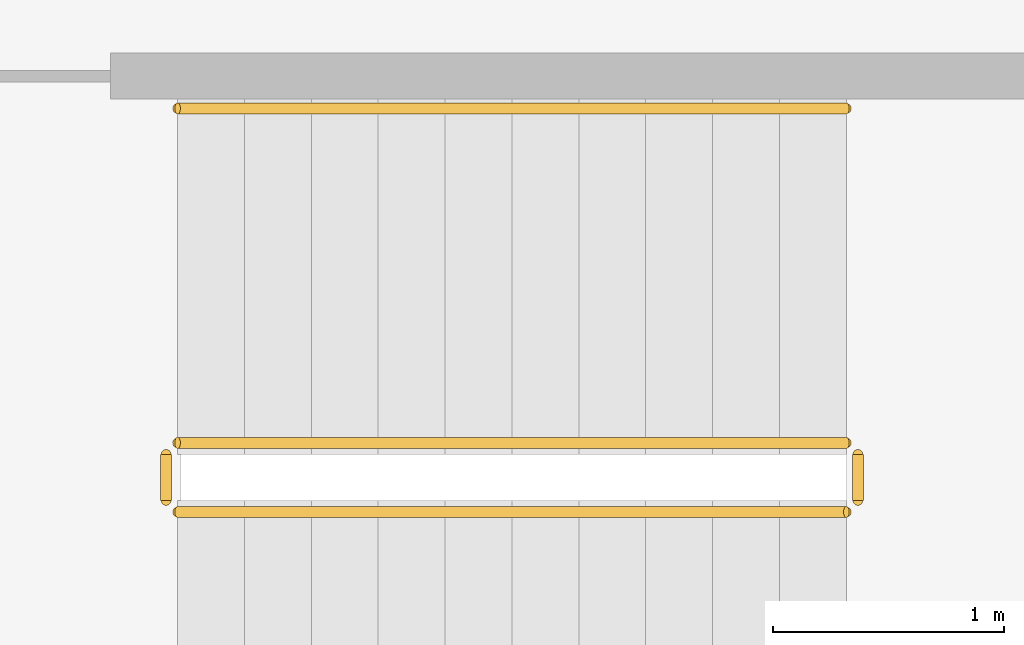
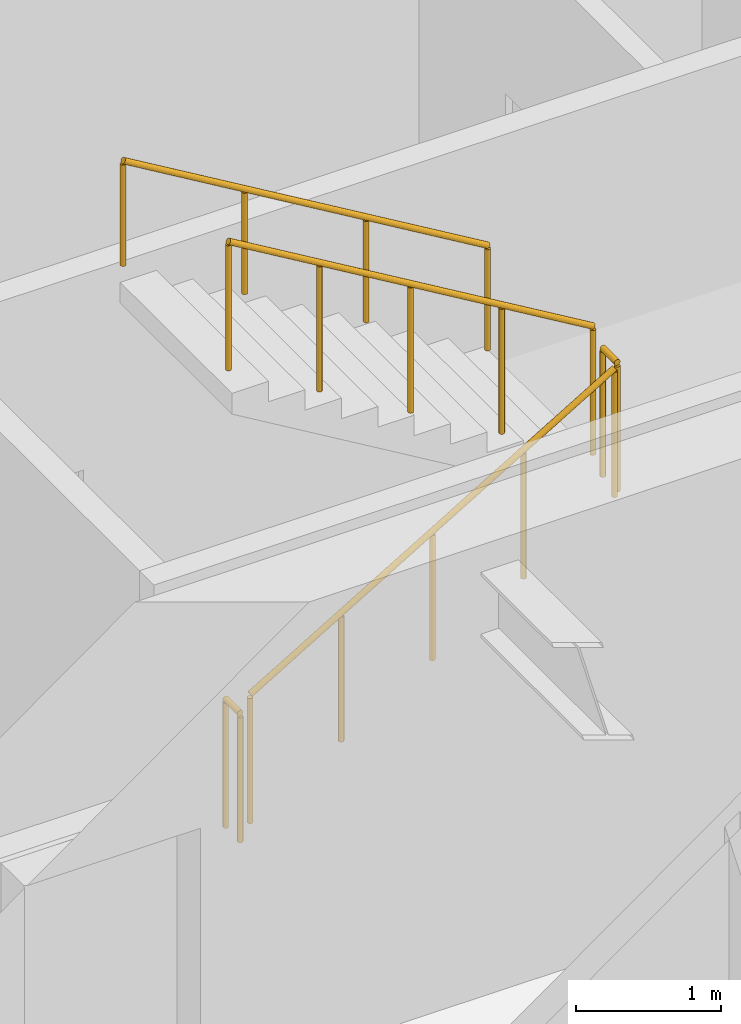
# One storey, part 21 of 22: 5 railings.
"""IFC4 building model written with IfcOpenShell, lengths in metres."""

from ifc_helpers import new_model, si_unit, direction, frame, origin, origin_2d, place, context, subcontext, project, spatial, circle, extrude, material, type_object, element, save


model = new_model("IFC4")

# Units and contexts
model_context = context("Model", 3, precision=1e-05, world=origin(), true_north=direction((0.0, 1.0)))
body_context = subcontext(model_context, "Body", "Model", "MODEL_VIEW")
ifc_project = project(units=[si_unit("LENGTHUNIT", "METRE"), si_unit("AREAUNIT", "SQUARE_METRE"), si_unit("VOLUMEUNIT", "CUBIC_METRE"), si_unit("PLANEANGLEUNIT", "RADIAN"), si_unit("MASSUNIT", "GRAM", prefix="KILO")], contexts=[model_context])

# Site, building, storey
site_placement = place(None, origin())
site = spatial("IfcSite", under=ifc_project, at=site_placement, CompositionType="ELEMENT")
building_placement = place(site_placement, origin())
building = spatial("IfcBuilding", under=site, at=building_placement, Name="Putna Gate Headquarters", CompositionType="ELEMENT")
storey_placement = place(building_placement, frame((0.0, 0.0, 178.39990234375)))
storey = spatial("IfcBuildingStorey", under=building, at=storey_placement, Name="L44", CompositionType="ELEMENT", Elevation=178.39990234375)

# Railings
ifc_material_1 = material(Name="Powder-coated steel stair guardrail", Category="steel")
railing_type_1 = type_object("IfcRailingType", Name="RAIL-STAIR-GUARD-1100", PredefinedType="GUARDRAIL", material=ifc_material_1)
railing_1_placement = place(storey_placement, frame((57.89990234375, 21.10009765625, 0.1728515625)))
element("IfcRailing", 1, at=railing_1_placement, inside=storey, type_object=railing_type_1, Name="L44 ST2 stair guard 1", PredefinedType="GUARDRAIL", context=body_context, shape_type="SweptSolid", body=[
    extrude(circle(Radius=0.02392578125, at=origin_2d()), frame((0.0, 0.0, 1.076171875), z_axis=(0.859160404282, 0.0, 0.51170636083), x_axis=(0.0, 1.0, 0.0)), (0.0, 0.0, 1.0), 3.37548828125),
    extrude(circle(Radius=0.02099609375, at=origin_2d()), origin(), (0.0, 0.0, 1.0), 1.052001953125),
    extrude(circle(Radius=0.02099609375, at=origin_2d()), frame((0.72509765625, 0.0, 0.431884765625)), (0.0, 0.0, 1.0), 1.052001953125),
    extrude(circle(Radius=0.02099609375, at=origin_2d()), frame((1.4501953125, 0.0, 0.86376953125)), (0.0, 0.0, 1.0), 1.052001953125),
    extrude(circle(Radius=0.02099609375, at=origin_2d()), frame((2.175048828125, 0.0, 1.29541015625)), (0.0, 0.0, 1.0), 1.052001953125),
    extrude(circle(Radius=0.02099609375, at=origin_2d()), frame((2.900146484375, 0.0, 1.727294921875)), (0.0, 0.0, 1.0), 1.052001953125),
])
railing_2_placement = place(storey_placement, frame((60.85009765625, 21.14990234375, 1.900146484375)))
element("IfcRailing", 2, at=railing_2_placement, inside=storey, type_object=railing_type_1, Name="L44 ST2 stair guard 2", PredefinedType="GUARDRAIL", context=body_context, shape_type="SweptSolid", body=[
    extrude(circle(Radius=0.02392578125, at=origin_2d()), frame((0.0, 0.0, 1.076171875), z_axis=(0.0, 1.0, 0.0), x_axis=(-1.0, 0.0, 0.0)), (0.0, 0.0, 1.0), 0.2001953125),
    extrude(circle(Radius=0.02099609375, at=origin_2d()), origin(), (0.0, 0.0, 1.0), 1.052001953125),
    extrude(circle(Radius=0.02099609375, at=origin_2d()), frame((0.0, 0.2001953125, 0.0)), (0.0, 0.0, 1.0), 1.052001953125),
])
railing_3_placement = place(storey_placement, frame((60.800048828125, 21.39990234375, 2.07275390625)))
element("IfcRailing", 3, at=railing_3_placement, inside=storey, type_object=railing_type_1, Name="L44 ST2 stair guard 3", PredefinedType="GUARDRAIL", context=body_context, shape_type="SweptSolid", body=[
    extrude(circle(Radius=0.02392578125, at=origin_2d()), frame((0.0, 0.0, 1.076171875), z_axis=(-0.859160404282, 0.0, 0.51170636083), x_axis=(0.0, -1.0, 0.0)), (0.0, 0.0, 1.0), 3.37548828125),
    extrude(circle(Radius=0.02099609375, at=origin_2d()), origin(), (0.0, 0.0, 1.0), 1.052001953125),
    extrude(circle(Radius=0.02099609375, at=origin_2d()), frame((-0.72509765625, 0.0, 0.431884765625)), (0.0, 0.0, 1.0), 1.052001953125),
    extrude(circle(Radius=0.02099609375, at=origin_2d()), frame((-1.4501953125, 0.0, 0.86376953125)), (0.0, 0.0, 1.0), 1.052001953125),
    extrude(circle(Radius=0.02099609375, at=origin_2d()), frame((-2.175048828125, 0.0, 1.29541015625)), (0.0, 0.0, 1.0), 1.052001953125),
    extrude(circle(Radius=0.02099609375, at=origin_2d()), frame((-2.900146484375, 0.0, 1.727294921875)), (0.0, 0.0, 1.0), 1.052001953125),
])
railing_4_placement = place(storey_placement, frame((57.85009765625, 21.14990234375, 0.0)))
element("IfcRailing", 4, at=railing_4_placement, inside=storey, type_object=railing_type_1, Name="L44 ST2 stair guard 4", PredefinedType="GUARDRAIL", context=body_context, shape_type="SweptSolid", body=[
    extrude(circle(Radius=0.02392578125, at=origin_2d()), frame((0.0, 0.0, 1.076171875), z_axis=(0.0, 1.0, 0.0), x_axis=(-1.0, 0.0, 0.0)), (0.0, 0.0, 1.0), 0.2001953125),
    extrude(circle(Radius=0.02099609375, at=origin_2d()), origin(), (0.0, 0.0, 1.0), 1.052001953125),
    extrude(circle(Radius=0.02099609375, at=origin_2d()), frame((0.0, 0.2001953125, 0.0)), (0.0, 0.0, 1.0), 1.052001953125),
])
ifc_material_2 = material(Name="Brushed stainless steel handrail", Category="steel")
railing_type_2 = type_object("IfcRailingType", Name="RAIL-STAIR-HAND-900", PredefinedType="HANDRAIL", material=ifc_material_2)
railing_5_placement = place(storey_placement, frame((60.800048828125, 22.85009765625, 2.07275390625)))
element("IfcRailing", 5, at=railing_5_placement, inside=storey, type_object=railing_type_2, Name="L44 ST2 stair handrail 2", PredefinedType="HANDRAIL", context=body_context, shape_type="SweptSolid", body=[
    extrude(circle(Radius=0.02392578125, at=origin_2d()), frame((0.0, 0.0, 0.8759765625), z_axis=(-0.859160404282, 0.0, 0.51170636083), x_axis=(0.0, -1.0, 0.0)), (0.0, 0.0, 1.0), 3.37548828125),
    extrude(circle(Radius=0.02099609375, at=origin_2d()), origin(), (0.0, 0.0, 1.0), 0.851806640625),
    extrude(circle(Radius=0.02099609375, at=origin_2d()), frame((-0.966796875, 0.0, 0.57568359375)), (0.0, 0.0, 1.0), 0.851806640625),
    extrude(circle(Radius=0.02099609375, at=origin_2d()), frame((-1.933349609375, 0.0, 1.151611328125)), (0.0, 0.0, 1.0), 0.851806640625),
    extrude(circle(Radius=0.02099609375, at=origin_2d()), frame((-2.900146484375, 0.0, 1.727294921875)), (0.0, 0.0, 1.0), 0.851806640625),
])

save(model, "model.ifc")
